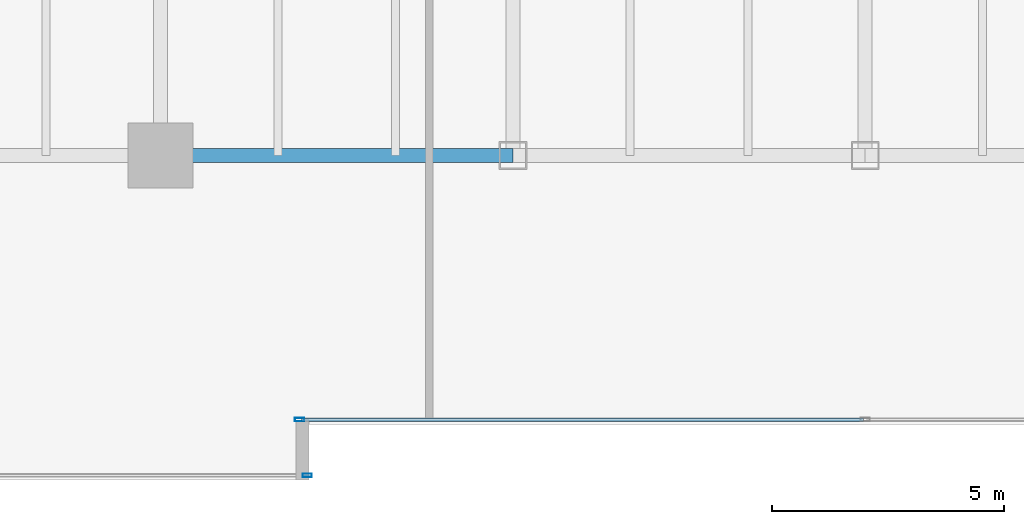
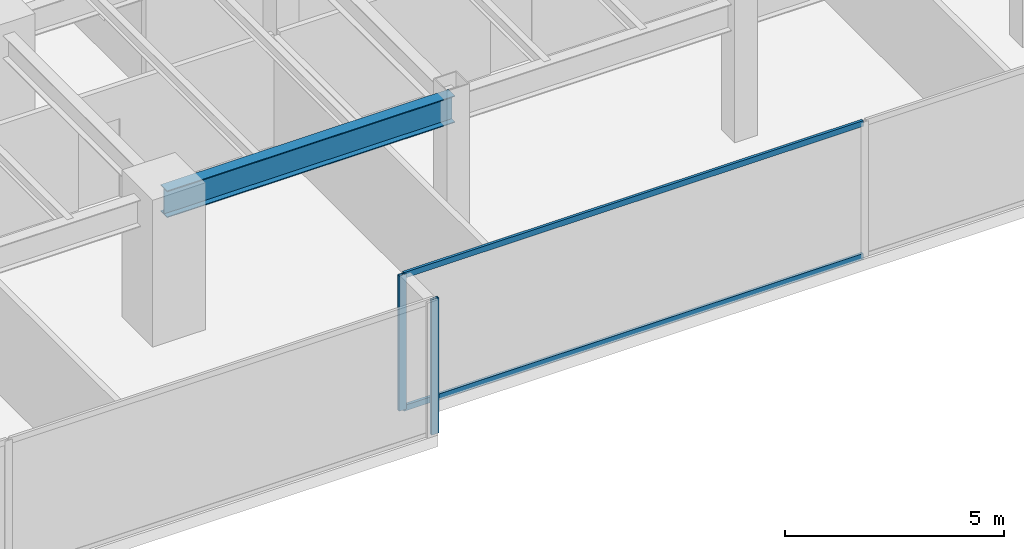
# One storey, part 4 of 35: 4 members, 1 beam, 2 elements without a shape of their own.
"""IFC4 building model written with IfcOpenShell, lengths in metres."""

from ifc_helpers import new_model, si_unit, direction, frame, origin, origin_2d, place, context, subcontext, project, spatial, hollow_rectangle, i_section, extrude, source, transform, mapped, material, layer, layer_set, material_profile, profile_set, type_object, type_shapes, element, aggregate, save


model = new_model("IFC4")

# Units and contexts
model_context = context("Model", 3, precision=1e-05, world=origin(), true_north=direction((0.0, 1.0)))
body_context = subcontext(model_context, "Body", "Model", "MODEL_VIEW")
ifc_project = project(units=[si_unit("LENGTHUNIT", "METRE"), si_unit("AREAUNIT", "SQUARE_METRE"), si_unit("VOLUMEUNIT", "CUBIC_METRE"), si_unit("PLANEANGLEUNIT", "RADIAN"), si_unit("MASSUNIT", "GRAM", prefix="KILO")], contexts=[model_context])

# Site, building, storey
site_placement = place(None, origin())
site = spatial("IfcSite", under=ifc_project, at=site_placement, CompositionType="ELEMENT")
building_placement = place(site_placement, origin())
building = spatial("IfcBuilding", under=site, at=building_placement, Name="Haelvirn Gate Laboratories", CompositionType="ELEMENT")
storey_placement = place(building_placement, frame((0.0, 0.0, 82.60009765625)))
storey = spatial("IfcBuildingStorey", under=building, at=storey_placement, Name="L20", CompositionType="ELEMENT", Elevation=82.60009765625)

# Beam
ifc_material_1 = material(Name="Steel SM355", Category="steel")
ifc_material_profile_1 = material_profile(ifc_material_1, i_section(OverallWidth=0.300048828125, OverallDepth=0.75, WebThickness=0.013916015625, FlangeThickness=0.02392578125, at=origin_2d()), Name="H-750x300x14x24")
ifc_profile_set_1 = profile_set([ifc_material_profile_1], Name="Steel SM355")
beam_type = type_object("IfcBeamType", Name="BM-G-750", PredefinedType="BEAM", material=ifc_profile_set_1)
shared_shape_1 = source(origin(), body_context, "Body", "SweptSolid", [
    extrude(i_section(OverallWidth=0.300048828125, OverallDepth=0.75, WebThickness=0.013916015625, FlangeThickness=0.02392578125, at=origin_2d()), origin(), (0.0, 0.0, 1.0), 7.60009765625),
])
type_shapes(beam_type, [shared_shape_1])
beam_placement = place(storey_placement, frame((22.199951171875, 7.0, 3.40478515625), z_axis=(1.0, 0.0, 0.0), x_axis=(0.0, 1.0, 0.0)))
element("IfcBeam", 1, at=beam_placement, inside=storey, type_object=beam_type, Name="L20 Primary Girder Y7.0 (22.2-29.8)", PredefinedType="BEAM", context=body_context, shape_type="MappedRepresentation", body=[
    mapped(shared_shape_1, transform((0.0, 0.0, 0.0), scale=1.0)),
])

# Curtain wall, members
ifc_material_2 = material(Name="Anodised bronze unitised aluminium & triple low-E glass", Category="aluminium")
ifc_layer = layer(ifc_material_2, 0.18408203125, Name="CW-SYS-2")
ifc_layer_set = layer_set([ifc_layer], Name="Anodised bronze unitised aluminium & triple low-E glass")
curtain_wall_type = type_object("IfcCurtainWallType", Name="CW-SYS-2", PredefinedType="NOTDEFINED", material=ifc_layer_set)
curtain_wall_1_placement = place(storey_placement, origin())
curtain_wall_1 = element("IfcCurtainWall", 2, at=curtain_wall_1_placement, inside=storey, type_object=curtain_wall_type, Name="L20 Unitised Curtain Wall CW-L20-P0-E02-1", PredefinedType="NOTDEFINED")
ifc_material_3 = material(Name="Extruded aluminium 6063-T6 (anodised bronze)", Category="aluminium")
ifc_material_profile_2 = material_profile(ifc_material_3, hollow_rectangle(XDim=0.070068359375, YDim=0.159912109375, WallThickness=0.0048828125, at=origin_2d()), Name="CWT-160x70x5")
ifc_profile_set_2 = profile_set([ifc_material_profile_2], Name="Extruded aluminium 6063-T6 (anodised bronze)")
member_type_1 = type_object("IfcMemberType", Name="CWT-T160", PredefinedType="USERDEFINED", material=ifc_profile_set_2)
shared_shape_2 = source(origin(), body_context, "Body", "SweptSolid", [
    extrude(hollow_rectangle(XDim=0.070068359375, YDim=0.159912109375, WallThickness=0.0048828125, at=origin_2d()), origin(), (0.0, 0.0, 1.0), 12.12744140625),
])
type_shapes(member_type_1, [shared_shape_2])
member_1_placement = place(storey_placement, frame((25.235107421875, 1.300048828125, 0.034912109375), z_axis=(1.0, 0.0, 0.0), x_axis=(0.0, 1.0, 0.0)))
member_1 = element("IfcMember", 3, at=member_1_placement, type_object=member_type_1, Name="CW2 transom 1.1", ObjectType="TRANSOM", PredefinedType="USERDEFINED", context=body_context, shape_type="MappedRepresentation", body=[
    mapped(shared_shape_2, transform((0.0, 0.0, 0.0), scale=1.0)),
])
member_2_placement = place(storey_placement, frame((25.235107421875, 1.300048828125, 3.744873046875), z_axis=(1.0, 0.0, 0.0), x_axis=(0.0, 1.0, 0.0)))
member_2 = element("IfcMember", 4, at=member_2_placement, type_object=member_type_1, Name="CW2 transom 1.2", ObjectType="TRANSOM", PredefinedType="USERDEFINED", context=body_context, shape_type="MappedRepresentation", body=[
    mapped(shared_shape_2, transform((0.0, 0.0, 0.0), scale=1.0)),
])

# Curtain wall, member
curtain_wall_2_placement = place(storey_placement, origin())
curtain_wall_2 = element("IfcCurtainWall", 5, at=curtain_wall_2_placement, inside=storey, type_object=curtain_wall_type, Name="L20 Unitised Curtain Wall CW-L20-P0-E00-1", PredefinedType="NOTDEFINED")
ifc_material_profile_3 = material_profile(ifc_material_3, hollow_rectangle(XDim=0.074951171875, YDim=0.199951171875, WallThickness=0.0048828125, at=origin_2d()), Name="CWM-200x75x5")
ifc_profile_set_3 = profile_set([ifc_material_profile_3], Name="Extruded aluminium 6063-T6 (anodised bronze)")
member_type_2 = type_object("IfcMemberType", Name="CWM-T200", PredefinedType="MULLION", material=ifc_profile_set_3)
shared_shape_3 = source(origin(), body_context, "Body", "SweptSolid", [
    extrude(hollow_rectangle(XDim=0.074951171875, YDim=0.199951171875, WallThickness=0.0048828125, at=origin_2d()), origin(), (0.0, 0.0, 1.0), 3.77978515625),
])
type_shapes(member_type_2, [shared_shape_3])
member_3_placement = place(storey_placement, frame((25.362548828125, 0.10009765625, 0.0), z_axis=(0.0, 0.0, 1.0), x_axis=(0.0, 1.0, 0.0)))
member_3 = element("IfcMember", 6, at=member_3_placement, type_object=member_type_2, Name="CW2 mullion 3", PredefinedType="MULLION", context=body_context, shape_type="MappedRepresentation", body=[
    mapped(shared_shape_3, transform((0.0, 0.0, 0.0), scale=1.0)),
])
aggregate(curtain_wall_2, [member_3])

# Member
member_4_placement = place(storey_placement, frame((25.197509765625, 1.300048828125, 0.0), z_axis=(0.0, 0.0, 1.0), x_axis=(0.0, 1.0, 0.0)))
member_4 = element("IfcMember", 7, at=member_4_placement, type_object=member_type_2, Name="CW2 mullion 1", PredefinedType="MULLION", context=body_context, shape_type="MappedRepresentation", body=[
    mapped(shared_shape_3, transform((0.0, 0.0, 0.0), scale=1.0)),
])

aggregate(curtain_wall_1, [member_4, member_1, member_2])

save(model, "model.ifc")
